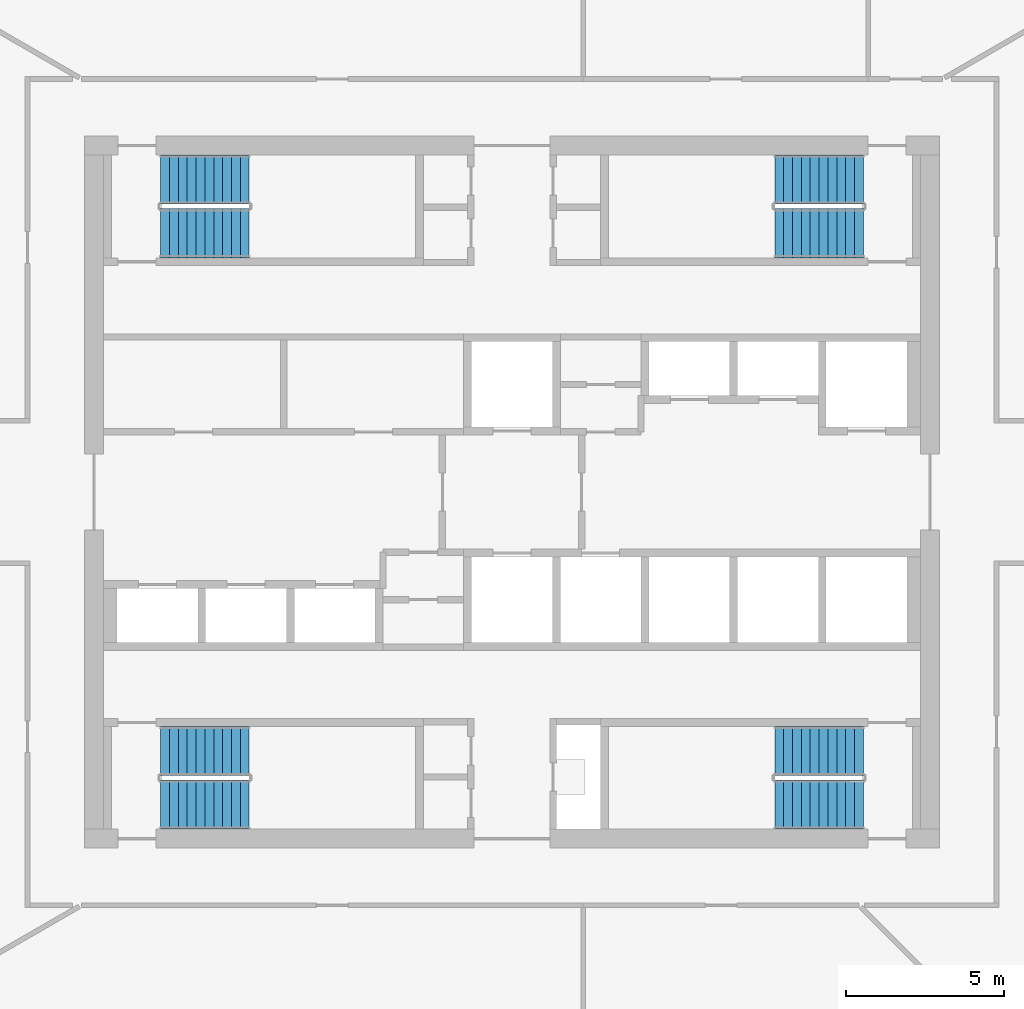
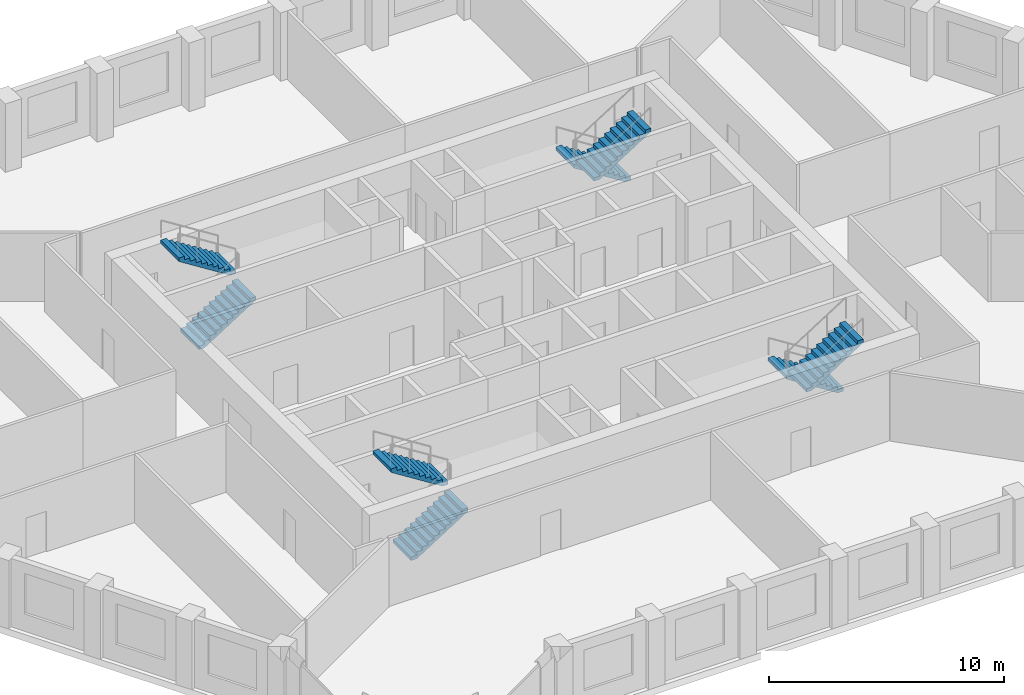
# One storey, part 7 of 8: 8 stair flights, 4 elements without a shape of their own.
"""IFC4 building model written with IfcOpenShell, lengths in metres."""

from ifc_helpers import new_model, si_unit, direction, frame, origin, place, context, subcontext, project, spatial, polyline, outline, extrude, material, type_object, element, aggregate, save


model = new_model("IFC4")

# Units and contexts
model_context = context("Model", 3, precision=1e-05, world=origin(), true_north=direction((0.0, 1.0)))
body_context = subcontext(model_context, "Body", "Model", "MODEL_VIEW")
ifc_project = project(units=[si_unit("LENGTHUNIT", "METRE"), si_unit("AREAUNIT", "SQUARE_METRE"), si_unit("VOLUMEUNIT", "CUBIC_METRE"), si_unit("PLANEANGLEUNIT", "RADIAN"), si_unit("MASSUNIT", "GRAM", prefix="KILO")], contexts=[model_context])

# Site, building, storey
site_placement = place(None, origin())
site = spatial("IfcSite", under=ifc_project, at=site_placement, CompositionType="ELEMENT")
building_placement = place(site_placement, origin())
building = spatial("IfcBuilding", under=site, at=building_placement, Name="Dhurran Vertical Campus", CompositionType="ELEMENT")
storey_placement = place(building_placement, frame((0.0, 0.0, 222.89990234375)))
storey = spatial("IfcBuildingStorey", under=building, at=storey_placement, Name="L55", CompositionType="ELEMENT", Elevation=222.89990234375)

# Stair, stair flights
ifc_material_1 = material(Name="Concrete C40/50", Category="concrete")
stair_type = type_object("IfcStairType", Name="co-ST-CORE", PredefinedType="HALF_TURN_STAIR", material=ifc_material_1)
stair_1_placement = place(storey_placement, origin())
stair_1 = element("IfcStair", 1, at=stair_1_placement, inside=storey, type_object=stair_type, Name="L55 Protected exit stair ST1", PredefinedType="HALF_TURN_STAIR")
ifc_material_2 = material(Name="Concrete C40/50", Category="concrete")
stair_flight_type = type_object("IfcStairFlightType", Name="co-SFL-RC", PredefinedType="STRAIGHT", material=ifc_material_2)
stair_flight_1_placement = place(storey_placement, frame((-11.10009765625, 8.175048828125, 0.0), z_axis=(0.0, 0.0, 1.0), x_axis=(1.0, 0.0, 0.0)))
stair_flight_1 = element("IfcStairFlight", 2, at=stair_flight_1_placement, type_object=stair_flight_type, Name="ST1 flight 1", NumberOfRisers=11, NumberOfTreads=10, PredefinedType="STRAIGHT", RiserHeight=0.177272727, TreadLength=0.28, context=body_context, shape_type="SweptSolid", body=[
    extrude(outline(polyline([(0.0, 0.0), (0.0, 0.17724609375), (0.280029296875, 0.17724609375), (0.280029296875, 0.3544921875), (0.56005859375, 0.3544921875), (0.56005859375, 0.53173828125), (0.840087890625, 0.53173828125), (0.840087890625, 0.708984375), (1.1201171875, 0.708984375), (1.1201171875, 0.886474609375), (1.39990234375, 0.886474609375), (1.39990234375, 1.063720703125), (1.679931640625, 1.063720703125), (1.679931640625, 1.240966796875), (1.9599609375, 1.240966796875), (1.9599609375, 1.418212890625), (2.239990234375, 1.418212890625), (2.239990234375, 1.595458984375), (2.52001953125, 1.595458984375), (2.52001953125, 1.772705078125), (2.800048828125, 1.772705078125), (2.800048828125, 1.949951171875), (2.800048828125, 1.59521484375), (0.2802734375, 0.0), (0.0, 0.0)])), frame((0.0, 0.77490234375, 0.0), z_axis=(0.0, -1.0, 0.0), x_axis=(1.0, 0.0, 0.0)), (0.0, 0.0, 1.0), 1.550048828125),
])
stair_flight_2_placement = place(storey_placement, frame((-8.300048828125, 9.875, 1.9501953125), z_axis=(0.0, 0.0, 1.0), x_axis=(-1.0, 0.0, 0.0)))
stair_flight_2 = element("IfcStairFlight", 3, at=stair_flight_2_placement, type_object=stair_flight_type, Name="ST1 flight 2", NumberOfRisers=11, NumberOfTreads=10, PredefinedType="STRAIGHT", RiserHeight=0.177272727, TreadLength=0.28, context=body_context, shape_type="SweptSolid", body=[
    extrude(outline(polyline([(0.0, 0.0), (0.0, 0.17724609375), (0.280029296875, 0.17724609375), (0.280029296875, 0.3544921875), (0.56005859375, 0.3544921875), (0.56005859375, 0.53173828125), (0.840087890625, 0.53173828125), (0.840087890625, 0.708984375), (1.1201171875, 0.708984375), (1.1201171875, 0.886474609375), (1.39990234375, 0.886474609375), (1.39990234375, 1.063720703125), (1.679931640625, 1.063720703125), (1.679931640625, 1.240966796875), (1.9599609375, 1.240966796875), (1.9599609375, 1.418212890625), (2.239990234375, 1.418212890625), (2.239990234375, 1.595458984375), (2.52001953125, 1.595458984375), (2.52001953125, 1.772705078125), (2.800048828125, 1.772705078125), (2.800048828125, 1.949951171875), (2.800048828125, 1.59521484375), (0.2802734375, 0.0), (0.0, 0.0)])), frame((0.0, 0.77490234375, 0.0), z_axis=(0.0, -1.0, 0.0), x_axis=(1.0, 0.0, 0.0)), (0.0, 0.0, 1.0), 1.550048828125),
])
aggregate(stair_1, [stair_flight_1, stair_flight_2])

stair_2_placement = place(storey_placement, origin())
stair_2 = element("IfcStair", 4, at=stair_2_placement, inside=storey, type_object=stair_type, Name="L55 Protected exit stair ST2", PredefinedType="HALF_TURN_STAIR")
stair_flight_3_placement = place(storey_placement, frame((11.10009765625, 9.875, 0.0), z_axis=(0.0, 0.0, 1.0), x_axis=(-1.0, 0.0, 0.0)))
stair_flight_3 = element("IfcStairFlight", 5, at=stair_flight_3_placement, type_object=stair_flight_type, Name="ST2 flight 1", NumberOfRisers=11, NumberOfTreads=10, PredefinedType="STRAIGHT", RiserHeight=0.177272727, TreadLength=0.28, context=body_context, shape_type="SweptSolid", body=[
    extrude(outline(polyline([(0.0, 0.0), (0.0, 0.17724609375), (0.280029296875, 0.17724609375), (0.280029296875, 0.3544921875), (0.56005859375, 0.3544921875), (0.56005859375, 0.53173828125), (0.840087890625, 0.53173828125), (0.840087890625, 0.708984375), (1.1201171875, 0.708984375), (1.1201171875, 0.886474609375), (1.39990234375, 0.886474609375), (1.39990234375, 1.063720703125), (1.679931640625, 1.063720703125), (1.679931640625, 1.240966796875), (1.9599609375, 1.240966796875), (1.9599609375, 1.418212890625), (2.239990234375, 1.418212890625), (2.239990234375, 1.595458984375), (2.52001953125, 1.595458984375), (2.52001953125, 1.772705078125), (2.800048828125, 1.772705078125), (2.800048828125, 1.949951171875), (2.800048828125, 1.59521484375), (0.2802734375, 0.0), (0.0, 0.0)])), frame((0.0, 0.77490234375, 0.0), z_axis=(0.0, -1.0, 0.0), x_axis=(1.0, 0.0, 0.0)), (0.0, 0.0, 1.0), 1.550048828125),
])
stair_flight_4_placement = place(storey_placement, frame((8.300048828125, 8.175048828125, 1.9501953125), z_axis=(0.0, 0.0, 1.0), x_axis=(1.0, 0.0, 0.0)))
stair_flight_4 = element("IfcStairFlight", 6, at=stair_flight_4_placement, type_object=stair_flight_type, Name="ST2 flight 2", NumberOfRisers=11, NumberOfTreads=10, PredefinedType="STRAIGHT", RiserHeight=0.177272727, TreadLength=0.28, context=body_context, shape_type="SweptSolid", body=[
    extrude(outline(polyline([(0.0, 0.0), (0.0, 0.17724609375), (0.280029296875, 0.17724609375), (0.280029296875, 0.3544921875), (0.56005859375, 0.3544921875), (0.56005859375, 0.53173828125), (0.840087890625, 0.53173828125), (0.840087890625, 0.708984375), (1.1201171875, 0.708984375), (1.1201171875, 0.886474609375), (1.39990234375, 0.886474609375), (1.39990234375, 1.063720703125), (1.679931640625, 1.063720703125), (1.679931640625, 1.240966796875), (1.9599609375, 1.240966796875), (1.9599609375, 1.418212890625), (2.239990234375, 1.418212890625), (2.239990234375, 1.595458984375), (2.52001953125, 1.595458984375), (2.52001953125, 1.772705078125), (2.800048828125, 1.772705078125), (2.800048828125, 1.949951171875), (2.800048828125, 1.59521484375), (0.2802734375, 0.0), (0.0, 0.0)])), frame((0.0, 0.77490234375, 0.0), z_axis=(0.0, -1.0, 0.0), x_axis=(1.0, 0.0, 0.0)), (0.0, 0.0, 1.0), 1.550048828125),
])
aggregate(stair_2, [stair_flight_3, stair_flight_4])

stair_3_placement = place(storey_placement, origin())
stair_3 = element("IfcStair", 7, at=stair_3_placement, inside=storey, type_object=stair_type, Name="L55 Protected exit stair ST3", PredefinedType="HALF_TURN_STAIR")
stair_flight_5_placement = place(storey_placement, frame((-11.10009765625, -9.875, 0.0), z_axis=(0.0, 0.0, 1.0), x_axis=(1.0, 0.0, 0.0)))
stair_flight_5 = element("IfcStairFlight", 8, at=stair_flight_5_placement, type_object=stair_flight_type, Name="ST3 flight 1", NumberOfRisers=11, NumberOfTreads=10, PredefinedType="STRAIGHT", RiserHeight=0.177272727, TreadLength=0.28, context=body_context, shape_type="SweptSolid", body=[
    extrude(outline(polyline([(0.0, 0.0), (0.0, 0.17724609375), (0.280029296875, 0.17724609375), (0.280029296875, 0.3544921875), (0.56005859375, 0.3544921875), (0.56005859375, 0.53173828125), (0.840087890625, 0.53173828125), (0.840087890625, 0.708984375), (1.1201171875, 0.708984375), (1.1201171875, 0.886474609375), (1.39990234375, 0.886474609375), (1.39990234375, 1.063720703125), (1.679931640625, 1.063720703125), (1.679931640625, 1.240966796875), (1.9599609375, 1.240966796875), (1.9599609375, 1.418212890625), (2.239990234375, 1.418212890625), (2.239990234375, 1.595458984375), (2.52001953125, 1.595458984375), (2.52001953125, 1.772705078125), (2.800048828125, 1.772705078125), (2.800048828125, 1.949951171875), (2.800048828125, 1.59521484375), (0.2802734375, 0.0), (0.0, 0.0)])), frame((0.0, 0.77490234375, 0.0), z_axis=(0.0, -1.0, 0.0), x_axis=(1.0, 0.0, 0.0)), (0.0, 0.0, 1.0), 1.550048828125),
])
stair_flight_6_placement = place(storey_placement, frame((-8.300048828125, -8.175048828125, 1.9501953125), z_axis=(0.0, 0.0, 1.0), x_axis=(-1.0, 0.0, 0.0)))
stair_flight_6 = element("IfcStairFlight", 9, at=stair_flight_6_placement, type_object=stair_flight_type, Name="ST3 flight 2", NumberOfRisers=11, NumberOfTreads=10, PredefinedType="STRAIGHT", RiserHeight=0.177272727, TreadLength=0.28, context=body_context, shape_type="SweptSolid", body=[
    extrude(outline(polyline([(0.0, 0.0), (0.0, 0.17724609375), (0.280029296875, 0.17724609375), (0.280029296875, 0.3544921875), (0.56005859375, 0.3544921875), (0.56005859375, 0.53173828125), (0.840087890625, 0.53173828125), (0.840087890625, 0.708984375), (1.1201171875, 0.708984375), (1.1201171875, 0.886474609375), (1.39990234375, 0.886474609375), (1.39990234375, 1.063720703125), (1.679931640625, 1.063720703125), (1.679931640625, 1.240966796875), (1.9599609375, 1.240966796875), (1.9599609375, 1.418212890625), (2.239990234375, 1.418212890625), (2.239990234375, 1.595458984375), (2.52001953125, 1.595458984375), (2.52001953125, 1.772705078125), (2.800048828125, 1.772705078125), (2.800048828125, 1.949951171875), (2.800048828125, 1.59521484375), (0.2802734375, 0.0), (0.0, 0.0)])), frame((0.0, 0.77490234375, 0.0), z_axis=(0.0, -1.0, 0.0), x_axis=(1.0, 0.0, 0.0)), (0.0, 0.0, 1.0), 1.550048828125),
])
aggregate(stair_3, [stair_flight_5, stair_flight_6])

stair_4_placement = place(storey_placement, origin())
stair_4 = element("IfcStair", 10, at=stair_4_placement, inside=storey, type_object=stair_type, Name="L55 Protected exit stair ST4", PredefinedType="HALF_TURN_STAIR")
stair_flight_7_placement = place(storey_placement, frame((11.10009765625, -8.175048828125, 0.0), z_axis=(0.0, 0.0, 1.0), x_axis=(-1.0, 0.0, 0.0)))
stair_flight_7 = element("IfcStairFlight", 11, at=stair_flight_7_placement, type_object=stair_flight_type, Name="ST4 flight 1", NumberOfRisers=11, NumberOfTreads=10, PredefinedType="STRAIGHT", RiserHeight=0.177272727, TreadLength=0.28, context=body_context, shape_type="SweptSolid", body=[
    extrude(outline(polyline([(0.0, 0.0), (0.0, 0.17724609375), (0.280029296875, 0.17724609375), (0.280029296875, 0.3544921875), (0.56005859375, 0.3544921875), (0.56005859375, 0.53173828125), (0.840087890625, 0.53173828125), (0.840087890625, 0.708984375), (1.1201171875, 0.708984375), (1.1201171875, 0.886474609375), (1.39990234375, 0.886474609375), (1.39990234375, 1.063720703125), (1.679931640625, 1.063720703125), (1.679931640625, 1.240966796875), (1.9599609375, 1.240966796875), (1.9599609375, 1.418212890625), (2.239990234375, 1.418212890625), (2.239990234375, 1.595458984375), (2.52001953125, 1.595458984375), (2.52001953125, 1.772705078125), (2.800048828125, 1.772705078125), (2.800048828125, 1.949951171875), (2.800048828125, 1.59521484375), (0.2802734375, 0.0), (0.0, 0.0)])), frame((0.0, 0.77490234375, 0.0), z_axis=(0.0, -1.0, 0.0), x_axis=(1.0, 0.0, 0.0)), (0.0, 0.0, 1.0), 1.550048828125),
])
stair_flight_8_placement = place(storey_placement, frame((8.300048828125, -9.875, 1.9501953125), z_axis=(0.0, 0.0, 1.0), x_axis=(1.0, 0.0, 0.0)))
stair_flight_8 = element("IfcStairFlight", 12, at=stair_flight_8_placement, type_object=stair_flight_type, Name="ST4 flight 2", NumberOfRisers=11, NumberOfTreads=10, PredefinedType="STRAIGHT", RiserHeight=0.177272727, TreadLength=0.28, context=body_context, shape_type="SweptSolid", body=[
    extrude(outline(polyline([(0.0, 0.0), (0.0, 0.17724609375), (0.280029296875, 0.17724609375), (0.280029296875, 0.3544921875), (0.56005859375, 0.3544921875), (0.56005859375, 0.53173828125), (0.840087890625, 0.53173828125), (0.840087890625, 0.708984375), (1.1201171875, 0.708984375), (1.1201171875, 0.886474609375), (1.39990234375, 0.886474609375), (1.39990234375, 1.063720703125), (1.679931640625, 1.063720703125), (1.679931640625, 1.240966796875), (1.9599609375, 1.240966796875), (1.9599609375, 1.418212890625), (2.239990234375, 1.418212890625), (2.239990234375, 1.595458984375), (2.52001953125, 1.595458984375), (2.52001953125, 1.772705078125), (2.800048828125, 1.772705078125), (2.800048828125, 1.949951171875), (2.800048828125, 1.59521484375), (0.2802734375, 0.0), (0.0, 0.0)])), frame((0.0, 0.77490234375, 0.0), z_axis=(0.0, -1.0, 0.0), x_axis=(1.0, 0.0, 0.0)), (0.0, 0.0, 1.0), 1.550048828125),
])
aggregate(stair_4, [stair_flight_7, stair_flight_8])

save(model, "model.ifc")
